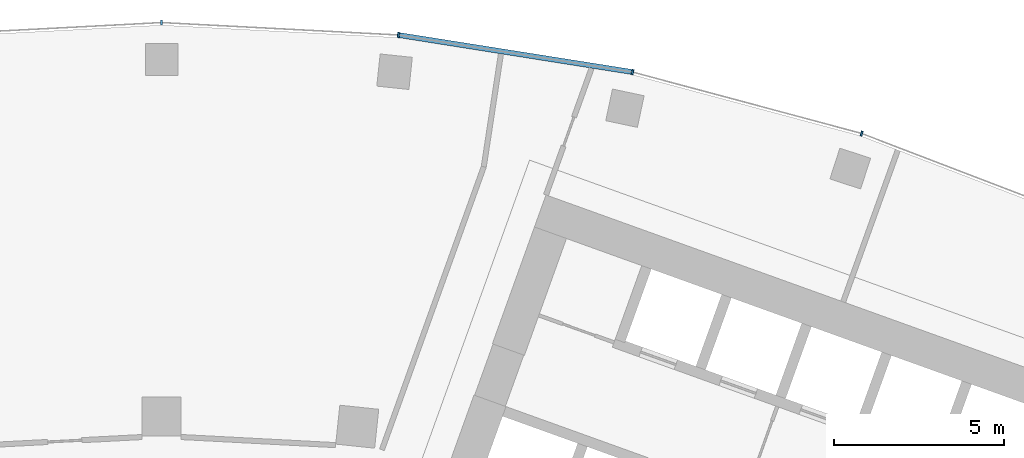
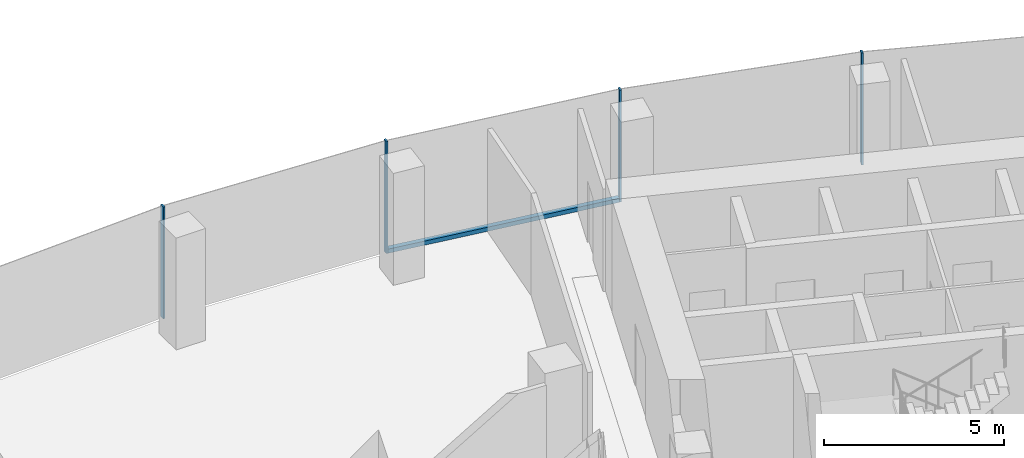
# One storey, part 6 of 19: 5 members, 1 element without a shape of its own.
"""IFC4 building model written with IfcOpenShell, lengths in metres."""

from ifc_helpers import new_model, si_unit, direction, frame, origin, origin_2d, place, context, subcontext, project, spatial, rectangle, extrude, material, layer, layer_set, material_profile, profile_set, type_object, element, aggregate, save


model = new_model("IFC4")

# Units and contexts
model_context = context("Model", 3, precision=1e-05, world=origin(), true_north=direction((0.0, 1.0)))
body_context = subcontext(model_context, "Body", "Model", "MODEL_VIEW")
ifc_project = project(units=[si_unit("LENGTHUNIT", "METRE"), si_unit("AREAUNIT", "SQUARE_METRE"), si_unit("VOLUMEUNIT", "CUBIC_METRE"), si_unit("PLANEANGLEUNIT", "RADIAN"), si_unit("MASSUNIT", "GRAM", prefix="KILO")], contexts=[model_context])

# Site, building, storey
site_placement = place(None, origin())
site = spatial("IfcSite", under=ifc_project, at=site_placement, CompositionType="ELEMENT")
building_placement = place(site_placement, origin())
building = spatial("IfcBuilding", under=site, at=building_placement, Name="Stone Belt Terrace Tower", CompositionType="ELEMENT")
storey_placement = place(building_placement, frame((0.0, 0.0, 227.60009765625)))
storey = spatial("IfcBuildingStorey", under=building, at=storey_placement, Name="L55", CompositionType="ELEMENT", Elevation=227.60009765625)

# Curtain wall, members
ifc_material = material(Name="Aluminium 6063-T6 anodised frame", Category="aluminium")
ifc_layer = layer(ifc_material, 0.14990234375)
ifc_layer_set = layer_set([ifc_layer], Name="CW-A unitised convex-face curtain wall")
curtain_wall_type = type_object("IfcCurtainWallType", Name="CW-A unitised convex-face curtain wall", PredefinedType="NOTDEFINED", material=ifc_layer_set)
curtain_wall_placement = place(storey_placement, origin())
curtain_wall = element("IfcCurtainWall", 1, at=curtain_wall_placement, inside=storey, type_object=curtain_wall_type, Name="CW-A convex face L55", PredefinedType="NOTDEFINED")
ifc_material_profile_1 = material_profile(ifc_material, rectangle(XDim=0.14990234375, YDim=0.06005859375, at=origin_2d()), Name="Aluminium 6063-T6 60x150")
ifc_profile_set_1 = profile_set([ifc_material_profile_1], Name="Aluminium 6063-T6 anodised frame")
member_type_1 = type_object("IfcMemberType", Name="CW-A mullion 60 x 150", PredefinedType="MULLION", material=ifc_profile_set_1)
member_1_placement = place(storey_placement, frame((20.57275390625, 63.316650390625, 0.0), z_axis=(0.0, 0.0, 1.0), x_axis=(-0.309016994375, -0.951056516295, 0.0)))
member_1 = element("IfcMember", 2, at=member_1_placement, type_object=member_type_1, Name="CW-A mullion 6", PredefinedType="MULLION", context=body_context, shape_type="SweptSolid", body=[
    extrude(rectangle(XDim=0.14990234375, YDim=0.06005859375, at=origin_2d()), origin(), (0.0, 0.0, 1.0), 3.7998046875),
])
member_2_placement = place(storey_placement, frame((13.841796875, 65.120361328125, 0.0), z_axis=(0.0, 0.0, 1.0), x_axis=(-0.207911690818, -0.978147600734, 0.0)))
member_2 = element("IfcMember", 3, at=member_2_placement, type_object=member_type_1, Name="CW-A mullion 7", PredefinedType="MULLION", context=body_context, shape_type="SweptSolid", body=[
    extrude(rectangle(XDim=0.14990234375, YDim=0.06005859375, at=origin_2d()), origin(), (0.0, 0.0, 1.0), 3.7998046875),
])
member_3_placement = place(storey_placement, frame((6.958984375, 66.21044921875, 0.0), z_axis=(0.0, 0.0, 1.0), x_axis=(-0.104528463268, -0.994521895368, 0.0)))
member_3 = element("IfcMember", 4, at=member_3_placement, type_object=member_type_1, Name="CW-A mullion 8", PredefinedType="MULLION", context=body_context, shape_type="SweptSolid", body=[
    extrude(rectangle(XDim=0.14990234375, YDim=0.06005859375, at=origin_2d()), origin(), (0.0, 0.0, 1.0), 3.7998046875),
])
member_4_placement = place(storey_placement, frame((0.0, 66.5751953125, 0.0), z_axis=(0.0, 0.0, 1.0), x_axis=(0.0, -1.0, 0.0)))
member_4 = element("IfcMember", 5, at=member_4_placement, type_object=member_type_1, Name="CW-A mullion 9", PredefinedType="MULLION", context=body_context, shape_type="SweptSolid", body=[
    extrude(rectangle(XDim=0.14990234375, YDim=0.06005859375, at=origin_2d()), origin(), (0.0, 0.0, 1.0), 3.7998046875),
])
ifc_material_profile_2 = material_profile(ifc_material, rectangle(XDim=0.14990234375, YDim=0.139892578125, at=origin_2d()), Name="Aluminium 6063-T6 150x140")
ifc_profile_set_2 = profile_set([ifc_material_profile_2], Name="Aluminium 6063-T6 anodised frame")
member_type_2 = type_object("IfcMemberType", Name="CW-A transom 140 x 150", PredefinedType="USERDEFINED", material=ifc_profile_set_2)
member_5_placement = place(storey_placement, frame((13.808349609375, 65.12548828125, 0.06982421875), z_axis=(-0.987687120531, 0.156442168027, 0.0), x_axis=(-0.156442168027, -0.987687120531, 0.0)))
member_5 = element("IfcMember", 6, at=member_5_placement, type_object=member_type_2, Name="CW-A transom 7.1", ObjectType="TRANSOM", PredefinedType="USERDEFINED", context=body_context, shape_type="SweptSolid", body=[
    extrude(rectangle(XDim=0.14990234375, YDim=0.139892578125, at=origin_2d()), origin(), (0.0, 0.0, 1.0), 6.90087890625),
])
aggregate(curtain_wall, [member_1, member_2, member_3, member_4, member_5])

save(model, "model.ifc")
